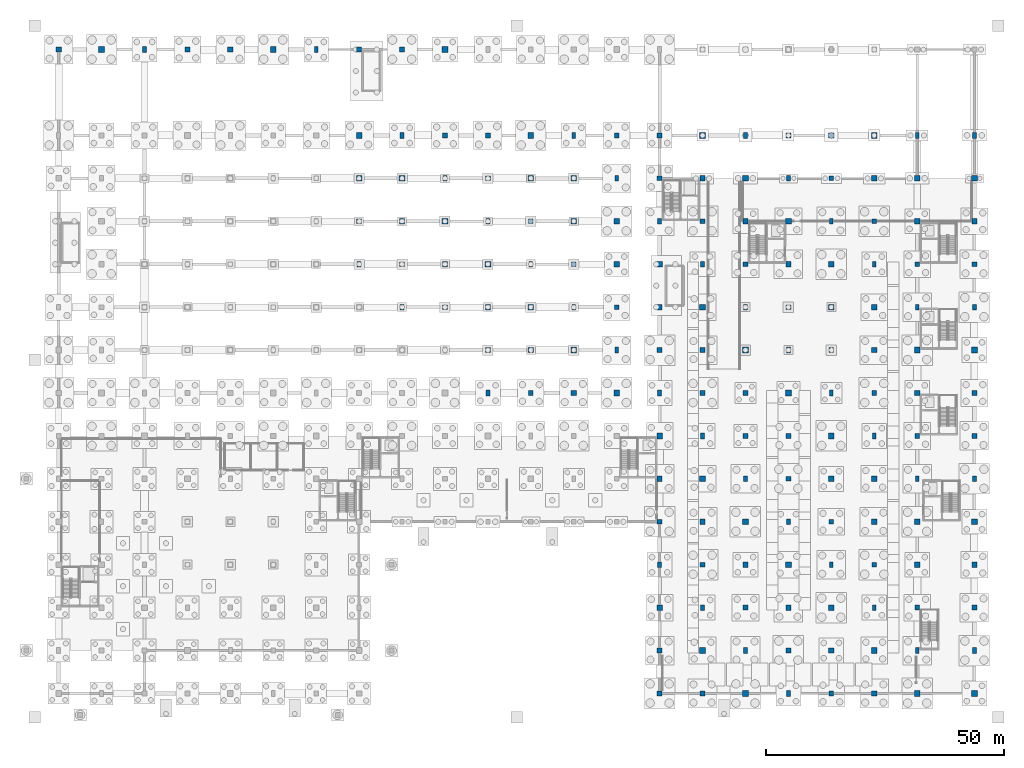
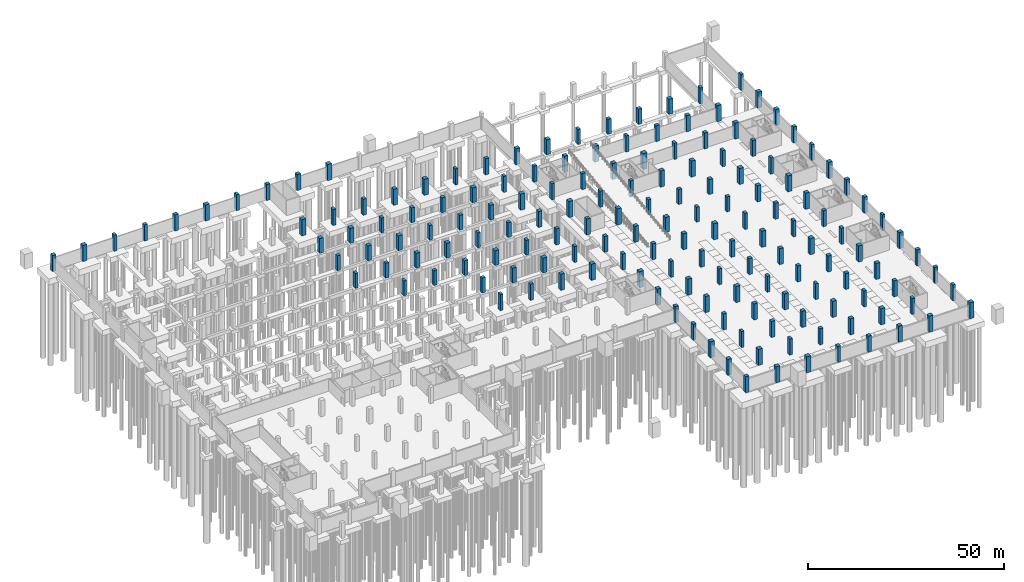
# One storey, part 13 of 37: 164 columns.
"""IFC4 building model written with IfcOpenShell, lengths in metres."""

import ifcopenshell
import ifcopenshell.guid

model = None  # the IFC model being written
_history = None  # IfcOwnerHistory: only IFC2X3 demands one
_inside = {}  # id of a spatial element -> (the spatial element, [elements in it])
_under = {}  # id of a project, library or spatial element -> (it, [spatial elements below it])
_declared = {}  # id of a project -> (the project, [libraries it declares])
_typed = {}  # id of a type object -> (the type object, [elements of that type])
_made_of = {}  # id of a material, layer set ... -> (it, [elements and type objects made of it])


def new_model(schema):
    """Start an empty IFC model of exactly this schema.

    Asked for "IFC4X3", IfcOpenShell would pick the latest addendum, in which some entities
    have other attributes; the version numbers below select the first issue.
    IFC2X3 requires an IfcOwnerHistory on every rooted entity: one is made here for all.
    """
    global model, _history
    if schema == "IFC4X3":
        model = ifcopenshell.file(schema_version=(4, 3, 0, 0))
    else:
        model = ifcopenshell.file(schema=schema)
    _inside.clear()
    _under.clear()
    _declared.clear()
    _typed.clear()
    _made_of.clear()
    _history = None
    if model.schema == "IFC2X3":
        org = make("IfcOrganization", Name="unknown")
        user = make(
            "IfcPersonAndOrganization",
            ThePerson=make("IfcPerson", FamilyName="unknown"),
            TheOrganization=org,
        )
        app = make(
            "IfcApplication",
            ApplicationDeveloper=org,
            Version="unknown",
            ApplicationFullName="unknown",
            ApplicationIdentifier="unknown",
        )
        _history = make(
            "IfcOwnerHistory",
            OwningUser=user,
            OwningApplication=app,
            ChangeAction="ADDED",
            CreationDate=0,
        )
    return model


def make(cls, **values):
    """One entity of the class cls with the attributes given. An attribute that is None is left unset."""
    return model.create_entity(
        cls, **{name: value for name, value in values.items() if value is not None}
    )


def rooted(cls, **values):
    """An entity with a GlobalId (a new one), such as an element, a storey or a relation."""
    return make(cls, GlobalId=ifcopenshell.guid.new(), OwnerHistory=_history, **values)


def si_unit(unit_type, name, prefix=None):
    """IfcSIUnit, for example si_unit("LENGTHUNIT", "METRE", prefix="MILLI")."""
    return make("IfcSIUnit", UnitType=unit_type, Prefix=prefix, Name=name)


def assignment(units):
    """IfcUnitAssignment: the units of a project."""
    return None if units is None else make("IfcUnitAssignment", Units=units)


def point(xyz):
    """IfcCartesianPoint."""
    return None if xyz is None else make("IfcCartesianPoint", Coordinates=xyz)


def direction(xyz):
    """IfcDirection."""
    return None if xyz is None else make("IfcDirection", DirectionRatios=xyz)


def frame(location, z_axis=None, x_axis=None):
    """IfcAxis2Placement3D, a coordinate frame: its origin and axes. An axis left out is left unset."""
    return make(
        "IfcAxis2Placement3D",
        Location=point(location),
        Axis=direction(z_axis),
        RefDirection=direction(x_axis),
    )


def frame_2d(location, x_axis=None):
    """IfcAxis2Placement2D, a coordinate frame in the plane: its origin and x axis."""
    return make(
        "IfcAxis2Placement2D", Location=point(location), RefDirection=direction(x_axis)
    )


def origin():
    """The frame at (0, 0, 0) with its axes left unset."""
    return frame((0.0, 0.0, 0.0))


def origin_2d():
    """The frame at (0, 0) in the plane with its x axis left unset."""
    return frame_2d((0.0, 0.0))


def place(relative_to, where):
    """IfcLocalPlacement: puts the frame where relative to a parent placement (None: the world)."""
    return make(
        "IfcLocalPlacement", PlacementRelTo=relative_to, RelativePlacement=where
    )


def context(
    kind, dimensions, precision=None, world=None, true_north=None, identifier=None
):
    """IfcGeometricRepresentationContext, for example the 3D "Model" context."""
    return make(
        "IfcGeometricRepresentationContext",
        ContextIdentifier=identifier,
        ContextType=kind,
        CoordinateSpaceDimension=dimensions,
        Precision=precision,
        WorldCoordinateSystem=world,
        TrueNorth=true_north,
    )


def subcontext(parent, identifier, kind, view, scale=None):
    """IfcGeometricRepresentationSubContext, for example "Body" below "Model"."""
    return make(
        "IfcGeometricRepresentationSubContext",
        ContextIdentifier=identifier,
        ContextType=kind,
        ParentContext=parent,
        TargetScale=scale,
        TargetView=view,
    )


def project(units=None, contexts=None):
    """IfcProject with its units and contexts."""
    return rooted(
        "IfcProject",
        Name="project",
        RepresentationContexts=contexts,
        UnitsInContext=assignment(units),
    )


def spatial(cls, under=None, at=None, **own):
    """A site, building, storey or space (cls), placed at a placement, below another one or the project."""
    s = rooted(cls, ObjectPlacement=at, **own)
    if under is not None:
        _under.setdefault(under.id(), (under, []))[1].append(s)
    return s


def profile(cls, at=None, kind="AREA", **sizes):
    """A parametric profile (cls). Its sizes go by their IFC names, for example OverallWidth=200.0."""
    return make(cls, ProfileType=kind, Position=at, **sizes)


def rectangle(**sizes):
    """IfcRectangleProfileDef."""
    return profile("IfcRectangleProfileDef", **sizes)


def extrude(swept, where, along, depth):
    """IfcExtrudedAreaSolid: the profile swept, set in the frame where, extruded along a direction by depth."""
    return make(
        "IfcExtrudedAreaSolid",
        SweptArea=swept,
        Position=where,
        ExtrudedDirection=direction(along),
        Depth=depth,
    )


def shape(context_of_items, identifier, shape_type, items):
    """IfcShapeRepresentation: the items that make up one representation, for example the "Body"."""
    return make(
        "IfcShapeRepresentation",
        ContextOfItems=context_of_items,
        RepresentationIdentifier=identifier,
        RepresentationType=shape_type,
        Items=items,
    )


def material(Name=None, Category=None):
    """IfcMaterial."""
    return make("IfcMaterial", Name=Name, Category=Category)


def material_profile(
    of_material, cross_section, Name=None, Category=None, Priority=None
):
    """IfcMaterialProfile: a cross section and its material."""
    return make(
        "IfcMaterialProfile",
        Name=Name,
        Material=of_material,
        Profile=cross_section,
        Priority=Priority,
        Category=Category,
    )


def profile_set(profiles, Name=None, composite=None):
    """IfcMaterialProfileSet."""
    return make(
        "IfcMaterialProfileSet",
        Name=Name,
        MaterialProfiles=profiles,
        CompositeProfile=composite,
    )


def made_of(thing, what):
    """Note that an element or type object is made of a material, layer set ...; save() writes the relation."""
    if what is not None:
        _made_of.setdefault(what.id(), (what, []))[1].append(thing)
    return thing


def type_object(cls, material=None, **own):
    """A type object (cls), such as IfcWallType, which elements share."""
    return made_of(rooted(cls, **own), material)


def element(
    cls,
    number,
    at=None,
    inside=None,
    cuts=None,
    type_object=None,
    material=None,
    context=None,
    identifier="Body",
    shape_type=None,
    held_by="IfcProductDefinitionShape",
    body=None,
    shapes=None,
    **own,
):
    """One element of the class cls, such as IfcWall. Its Tag is "e" and its number.

    at: its placement. inside: the storey or other place that contains it. cuts: it is an
    opening in that element (IfcRelVoidsElement). A single representation is given by context,
    identifier, shape_type and body (its items); several are given by shapes. held_by: the class
    of the entity that holds the representations. save() writes the other relations.
    """
    e = rooted(cls, Tag="e%d" % number, ObjectPlacement=at, **own)
    if body is not None:
        shapes = [shape(context, identifier, shape_type, body)]
    if shapes is not None:
        e.Representation = make(held_by, Representations=shapes)
    if inside is not None:
        _inside.setdefault(inside.id(), (inside, []))[1].append(e)
    if cuts is not None:
        rooted(
            "IfcRelVoidsElement", RelatingBuildingElement=cuts, RelatedOpeningElement=e
        )
    if type_object is not None:
        _typed.setdefault(type_object.id(), (type_object, []))[1].append(e)
    return made_of(e, material)


def aggregate(whole, parts):
    """IfcRelAggregates: a whole, such as a stair, and the parts it consists of."""
    return rooted("IfcRelAggregates", RelatingObject=whole, RelatedObjects=parts)


def save(model, path):
    """Write the relations noted so far, then the file.

    IfcRelAggregates (storeys below a building ...), IfcRelContainedInSpatialStructure (elements
    in a storey), IfcRelDefinesByType, IfcRelAssociatesMaterial and IfcRelDeclares: one each for
    every whole, place, type object, material and project.
    """
    for whole, parts in _under.values():
        aggregate(whole, parts)
    for where, things in _inside.values():
        rooted(
            "IfcRelContainedInSpatialStructure",
            RelatedElements=things,
            RelatingStructure=where,
        )
    for kind, things in _typed.values():
        rooted("IfcRelDefinesByType", RelatedObjects=things, RelatingType=kind)
    for what, things in _made_of.values():
        rooted("IfcRelAssociatesMaterial", RelatedObjects=things, RelatingMaterial=what)
    for by, libraries in _declared.values():
        rooted("IfcRelDeclares", RelatingContext=by, RelatedDefinitions=libraries)
    model.write(path)


model = new_model("IFC4")

# Units and contexts
model_context = context("Model", 3, precision=1e-05, world=origin(), true_north=direction((0.0, 1.0)))
body_context = subcontext(model_context, "Body", "Model", "MODEL_VIEW")
ifc_project = project(units=[si_unit("LENGTHUNIT", "METRE"), si_unit("AREAUNIT", "SQUARE_METRE"), si_unit("VOLUMEUNIT", "CUBIC_METRE"), si_unit("PLANEANGLEUNIT", "RADIAN"), si_unit("MASSUNIT", "GRAM", prefix="KILO")], contexts=[model_context])

# Site, building, storey
site_placement = place(None, origin())
site = spatial("IfcSite", under=ifc_project, at=site_placement, CompositionType="ELEMENT")
building_placement = place(site_placement, origin())
building = spatial("IfcBuilding", under=site, at=building_placement, Name="Barlavento Convention Centre", CompositionType="ELEMENT")
storey_placement = place(building_placement, frame((0.0, 0.0, -5.0)))
storey = spatial("IfcBuildingStorey", under=building, at=storey_placement, Name="B1", CompositionType="ELEMENT", Elevation=-5.0)

# Columns
ifc_material = material(Name="Concrete C50/60", Category="concrete")
ifc_material_profile_1 = material_profile(ifc_material, rectangle(XDim=1.0, YDim=1.0, at=origin_2d()), Name="RC 1000x1000")
ifc_profile_set_1 = profile_set([ifc_material_profile_1], Name="Concrete C50/60")
column_type_1 = type_object("IfcColumnType", Name="STR-COL-RC1000", PredefinedType="COLUMN", material=ifc_profile_set_1)
column_1_placement = place(storey_placement, frame((27.0, 135.0, 0.0), z_axis=(0.0, 0.0, 1.0), x_axis=(1.0, 0.0, 0.0)))
element("IfcColumn", 1, at=column_1_placement, inside=storey, type_object=column_type_1, Name="B1 column CC03", PredefinedType="COLUMN", context=body_context, shape_type="SweptSolid", body=[
    extrude(rectangle(XDim=1.0, YDim=1.0, at=origin_2d()), origin(), (0.0, 0.0, 1.0), 5.0),
])
column_2_placement = place(storey_placement, frame((63.0, 99.0, 0.0), z_axis=(0.0, 0.0, 1.0), x_axis=(1.0, 0.0, 0.0)))
element("IfcColumn", 2, at=column_2_placement, inside=storey, type_object=column_type_1, Name="B1 column CC03", PredefinedType="COLUMN", context=body_context, shape_type="SweptSolid", body=[
    extrude(rectangle(XDim=1.0, YDim=1.0, at=origin_2d()), origin(), (0.0, 0.0, 1.0), 4.6201171875),
])
column_3_placement = place(storey_placement, frame((63.0, 135.0, 0.0), z_axis=(0.0, 0.0, 1.0), x_axis=(1.0, 0.0, 0.0)))
element("IfcColumn", 3, at=column_3_placement, inside=storey, type_object=column_type_1, Name="B1 column CC03", PredefinedType="COLUMN", context=body_context, shape_type="SweptSolid", body=[
    extrude(rectangle(XDim=1.0, YDim=1.0, at=origin_2d()), origin(), (0.0, 0.0, 1.0), 5.0),
])
for number, where, z_axis, x_axis, name in (
    (4, (72.0, 90.0, 0.0), (0.0, 0.0, 1.0), (1.0, 0.0, 0.0), "B1 column CC03"),
    (5, (81.0, 81.0, 0.0), (0.0, 0.0, 1.0), (1.0, 0.0, 0.0), "B1 column CC03"),
):
    element("IfcColumn", number, at=place(storey_placement, frame(where, z_axis=z_axis, x_axis=x_axis)), inside=storey, type_object=column_type_1, Name=name, PredefinedType="COLUMN", context=body_context, shape_type="SweptSolid", body=[
        extrude(rectangle(XDim=1.0, YDim=1.0, at=origin_2d()), origin(), (0.0, 0.0, 1.0), 4.6201171875),
    ])
column_4_placement = place(storey_placement, frame((81.0, 117.0, 0.0), z_axis=(0.0, 0.0, 1.0), x_axis=(1.0, 0.0, 0.0)))
element("IfcColumn", 6, at=column_4_placement, inside=storey, type_object=column_type_1, Name="B1 column CC03", PredefinedType="COLUMN", context=body_context, shape_type="SweptSolid", body=[
    extrude(rectangle(XDim=1.0, YDim=1.0, at=origin_2d()), origin(), (0.0, 0.0, 1.0), 5.0),
])
for number, where, z_axis, x_axis, name in (
    (7, (90.0, 72.0, 0.0), (0.0, 0.0, 1.0), (1.0, 0.0, 0.0), "B1 column CC03"),
    (8, (90.0, 108.0, 0.0), (0.0, 0.0, 1.0), (1.0, 0.0, 0.0), "B1 column CC03"),
):
    element("IfcColumn", number, at=place(storey_placement, frame(where, z_axis=z_axis, x_axis=x_axis)), inside=storey, type_object=column_type_1, Name=name, PredefinedType="COLUMN", context=body_context, shape_type="SweptSolid", body=[
        extrude(rectangle(XDim=1.0, YDim=1.0, at=origin_2d()), origin(), (0.0, 0.0, 1.0), 4.6201171875),
    ])
column_5_placement = place(storey_placement, frame((99.0, 63.0, 0.0), z_axis=(0.0, 0.0, 1.0), x_axis=(1.0, 0.0, 0.0)))
element("IfcColumn", 9, at=column_5_placement, inside=storey, type_object=column_type_1, Name="B1 column CC03", PredefinedType="COLUMN", context=body_context, shape_type="SweptSolid", body=[
    extrude(rectangle(XDim=1.0, YDim=1.0, at=origin_2d()), origin(), (0.0, 0.0, 1.0), 5.0),
])
for number, where, z_axis, x_axis, name in (
    (10, (99.0, 99.0, 0.0), (0.0, 0.0, 1.0), (1.0, 0.0, 0.0), "B1 column CC03"),
    (11, (108.0, 90.0, 0.0), (0.0, 0.0, 1.0), (1.0, 0.0, 0.0), "B1 column CC03"),
):
    element("IfcColumn", number, at=place(storey_placement, frame(where, z_axis=z_axis, x_axis=x_axis)), inside=storey, type_object=column_type_1, Name=name, PredefinedType="COLUMN", context=body_context, shape_type="SweptSolid", body=[
        extrude(rectangle(XDim=1.0, YDim=1.0, at=origin_2d()), origin(), (0.0, 0.0, 1.0), 4.6201171875),
    ])
for number, where, z_axis, x_axis, name in (
    (12, (117.0, 81.0, 0.0), (0.0, 0.0, 1.0), (1.0, 0.0, 0.0), "B1 column CC03"),
    (13, (117.0, 117.0, 0.0), (0.0, 0.0, 1.0), (1.0, 0.0, 0.0), "B1 column CC03"),
    (14, (126.0, 0.0, 0.0), (0.0, 0.0, 1.0), (1.0, 0.0, 0.0), "B1 column CC03"),
    (15, (126.0, 36.0, 0.0), (0.0, 0.0, 1.0), (1.0, 0.0, 0.0), "B1 column CC03"),
    (16, (126.0, 72.0, 0.0), (0.0, 0.0, 1.0), (1.0, 0.0, 0.0), "B1 column CC03"),
    (17, (126.0, 108.0, 0.0), (0.0, 0.0, 1.0), (1.0, 0.0, 0.0), "B1 column CC03"),
    (18, (135.0, 27.0, 0.0), (0.0, 0.0, 1.0), (1.0, 0.0, 0.0), "B1 column CC03"),
    (19, (135.0, 63.0, 0.0), (0.0, 0.0, 1.0), (1.0, 0.0, 0.0), "B1 column CC03"),
    (20, (135.0, 99.0, 0.0), (0.0, 0.0, 1.0), (1.0, 0.0, 0.0), "B1 column CC03"),
    (21, (144.0, 18.0, 0.0), (0.0, 0.0, 1.0), (1.0, 0.0, 0.0), "B1 column CC03"),
    (22, (144.0, 54.0, 0.0), (0.0, 0.0, 1.0), (1.0, 0.0, 0.0), "B1 column CC03"),
    (23, (144.0, 90.0, 0.0), (0.0, 0.0, 1.0), (1.0, 0.0, 0.0), "B1 column CC03"),
    (24, (153.0, 9.0, 0.0), (0.0, 0.0, 1.0), (1.0, 0.0, 0.0), "B1 column CC03"),
    (25, (153.0, 45.0, 0.0), (0.0, 0.0, 1.0), (1.0, 0.0, 0.0), "B1 column CC03"),
):
    element("IfcColumn", number, at=place(storey_placement, frame(where, z_axis=z_axis, x_axis=x_axis)), inside=storey, type_object=column_type_1, Name=name, PredefinedType="COLUMN", context=body_context, shape_type="SweptSolid", body=[
        extrude(rectangle(XDim=1.0, YDim=1.0, at=origin_2d()), origin(), (0.0, 0.0, 1.0), 5.0),
    ])
column_6_placement = place(storey_placement, frame((153.0, 81.0, 0.0), z_axis=(0.0, 0.0, 1.0), x_axis=(1.0, 0.0, 0.0)))
element("IfcColumn", 26, at=column_6_placement, inside=storey, type_object=column_type_1, Name="B1 column CC03", PredefinedType="COLUMN", context=body_context, shape_type="SweptSolid", body=[
    extrude(rectangle(XDim=1.0, YDim=1.0, at=origin_2d()), origin(), (0.0, 0.0, 1.0), 4.639892578125),
])
column_7_placement = place(storey_placement, frame((153.0, 117.0, 0.0), z_axis=(0.0, 0.0, 1.0), x_axis=(1.0, 0.0, 0.0)))
element("IfcColumn", 27, at=column_7_placement, inside=storey, type_object=column_type_1, Name="B1 column CC03", PredefinedType="COLUMN", context=body_context, shape_type="SweptSolid", body=[
    extrude(rectangle(XDim=1.0, YDim=1.0, at=origin_2d()), origin(), (0.0, 0.0, 1.0), 4.68994140625),
])
for number, where, z_axis, x_axis, name in (
    (28, (162.0, 0.0, 0.0), (0.0, 0.0, 1.0), (1.0, 0.0, 0.0), "B1 column CC03"),
    (29, (162.0, 36.0, 0.0), (0.0, 0.0, 1.0), (1.0, 0.0, 0.0), "B1 column CC03"),
):
    element("IfcColumn", number, at=place(storey_placement, frame(where, z_axis=z_axis, x_axis=x_axis)), inside=storey, type_object=column_type_1, Name=name, PredefinedType="COLUMN", context=body_context, shape_type="SweptSolid", body=[
        extrude(rectangle(XDim=1.0, YDim=1.0, at=origin_2d()), origin(), (0.0, 0.0, 1.0), 5.0),
    ])
column_8_placement = place(storey_placement, frame((162.0, 72.0, 0.0), z_axis=(0.0, 0.0, 1.0), x_axis=(1.0, 0.0, 0.0)))
element("IfcColumn", 30, at=column_8_placement, inside=storey, type_object=column_type_1, Name="B1 column CC03", PredefinedType="COLUMN", context=body_context, shape_type="SweptSolid", body=[
    extrude(rectangle(XDim=1.0, YDim=1.0, at=origin_2d()), origin(), (0.0, 0.0, 1.0), 4.639892578125),
])
for number, where, z_axis, x_axis, name in (
    (31, (162.0, 108.0, 0.0), (0.0, 0.0, 1.0), (1.0, 0.0, 0.0), "B1 column CC03"),
    (32, (171.0, 27.0, 0.0), (0.0, 0.0, 1.0), (1.0, 0.0, 0.0), "B1 column CC03"),
    (33, (171.0, 63.0, 0.0), (0.0, 0.0, 1.0), (1.0, 0.0, 0.0), "B1 column CC03"),
    (34, (171.0, 99.0, 0.0), (0.0, 0.0, 1.0), (1.0, 0.0, 0.0), "B1 column CC03"),
    (35, (180.0, 18.0, 0.0), (0.0, 0.0, 1.0), (1.0, 0.0, 0.0), "B1 column CC03"),
    (36, (180.0, 54.0, 0.0), (0.0, 0.0, 1.0), (1.0, 0.0, 0.0), "B1 column CC03"),
    (37, (180.0, 90.0, 0.0), (0.0, 0.0, 1.0), (1.0, 0.0, 0.0), "B1 column CC03"),
    (38, (192.0, 18.0, 0.0), (0.0, 0.0, 1.0), (1.0, 0.0, 0.0), "B1 column CC03"),
    (39, (192.0, 54.0, 0.0), (0.0, 0.0, 1.0), (1.0, 0.0, 0.0), "B1 column CC03"),
    (40, (192.0, 90.0, 0.0), (0.0, 0.0, 1.0), (1.0, 0.0, 0.0), "B1 column CC03"),
):
    element("IfcColumn", number, at=place(storey_placement, frame(where, z_axis=z_axis, x_axis=x_axis)), inside=storey, type_object=column_type_1, Name=name, PredefinedType="COLUMN", context=body_context, shape_type="SweptSolid", body=[
        extrude(rectangle(XDim=1.0, YDim=1.0, at=origin_2d()), origin(), (0.0, 0.0, 1.0), 5.0),
    ])
ifc_material_profile_2 = material_profile(ifc_material, rectangle(XDim=1.10009765625, YDim=1.10009765625, at=origin_2d()), Name="RC 1100x1100")
ifc_profile_set_2 = profile_set([ifc_material_profile_2], Name="Concrete C50/60")
column_type_2 = type_object("IfcColumnType", Name="STR-COL-RC1100", PredefinedType="COLUMN", material=ifc_profile_set_2)
for number, where, z_axis, x_axis, name in (
    (41, (0.0, 135.0, 0.0), (0.0, 0.0, 1.0), (1.0, 0.0, 0.0), "B1 column CC02"),
    (42, (36.0, 135.0, 0.0), (0.0, 0.0, 1.0), (1.0, 0.0, 0.0), "B1 column CC02"),
):
    element("IfcColumn", number, at=place(storey_placement, frame(where, z_axis=z_axis, x_axis=x_axis)), inside=storey, type_object=column_type_2, Name=name, PredefinedType="COLUMN", context=body_context, shape_type="SweptSolid", body=[
        extrude(rectangle(XDim=1.10009765625, YDim=1.10009765625, at=origin_2d()), origin(), (0.0, 0.0, 1.0), 5.0),
    ])
for number, where, z_axis, x_axis, name in (
    (43, (63.0, 108.0, 0.0), (0.0, 0.0, 1.0), (1.0, 0.0, 0.0), "B1 column CC02"),
    (44, (72.0, 99.0, 0.0), (0.0, 0.0, 1.0), (1.0, 0.0, 0.0), "B1 column CC02"),
):
    element("IfcColumn", number, at=place(storey_placement, frame(where, z_axis=z_axis, x_axis=x_axis)), inside=storey, type_object=column_type_2, Name=name, PredefinedType="COLUMN", context=body_context, shape_type="SweptSolid", body=[
        extrude(rectangle(XDim=1.10009765625, YDim=1.10009765625, at=origin_2d()), origin(), (0.0, 0.0, 1.0), 4.6201171875),
    ])
column_9_placement = place(storey_placement, frame((72.0, 135.0, 0.0), z_axis=(0.0, 0.0, 1.0), x_axis=(1.0, 0.0, 0.0)))
element("IfcColumn", 45, at=column_9_placement, inside=storey, type_object=column_type_2, Name="B1 column CC02", PredefinedType="COLUMN", context=body_context, shape_type="SweptSolid", body=[
    extrude(rectangle(XDim=1.10009765625, YDim=1.10009765625, at=origin_2d()), origin(), (0.0, 0.0, 1.0), 5.0),
])
for number, where, z_axis, x_axis, name in (
    (46, (81.0, 90.0, 0.0), (0.0, 0.0, 1.0), (1.0, 0.0, 0.0), "B1 column CC02"),
    (47, (90.0, 81.0, 0.0), (0.0, 0.0, 1.0), (1.0, 0.0, 0.0), "B1 column CC02"),
):
    element("IfcColumn", number, at=place(storey_placement, frame(where, z_axis=z_axis, x_axis=x_axis)), inside=storey, type_object=column_type_2, Name=name, PredefinedType="COLUMN", context=body_context, shape_type="SweptSolid", body=[
        extrude(rectangle(XDim=1.10009765625, YDim=1.10009765625, at=origin_2d()), origin(), (0.0, 0.0, 1.0), 4.6201171875),
    ])
column_10_placement = place(storey_placement, frame((90.0, 117.0, 0.0), z_axis=(0.0, 0.0, 1.0), x_axis=(1.0, 0.0, 0.0)))
element("IfcColumn", 48, at=column_10_placement, inside=storey, type_object=column_type_2, Name="B1 column CC02", PredefinedType="COLUMN", context=body_context, shape_type="SweptSolid", body=[
    extrude(rectangle(XDim=1.10009765625, YDim=1.10009765625, at=origin_2d()), origin(), (0.0, 0.0, 1.0), 5.0),
])
for number, where, z_axis, x_axis, name in (
    (49, (99.0, 72.0, 0.0), (0.0, 0.0, 1.0), (1.0, 0.0, 0.0), "B1 column CC02"),
    (50, (99.0, 108.0, 0.0), (0.0, 0.0, 1.0), (1.0, 0.0, 0.0), "B1 column CC02"),
):
    element("IfcColumn", number, at=place(storey_placement, frame(where, z_axis=z_axis, x_axis=x_axis)), inside=storey, type_object=column_type_2, Name=name, PredefinedType="COLUMN", context=body_context, shape_type="SweptSolid", body=[
        extrude(rectangle(XDim=1.10009765625, YDim=1.10009765625, at=origin_2d()), origin(), (0.0, 0.0, 1.0), 4.6201171875),
    ])
column_11_placement = place(storey_placement, frame((108.0, 63.0, 0.0), z_axis=(0.0, 0.0, 1.0), x_axis=(1.0, 0.0, 0.0)))
element("IfcColumn", 51, at=column_11_placement, inside=storey, type_object=column_type_2, Name="B1 column CC02", PredefinedType="COLUMN", context=body_context, shape_type="SweptSolid", body=[
    extrude(rectangle(XDim=1.10009765625, YDim=1.10009765625, at=origin_2d()), origin(), (0.0, 0.0, 1.0), 5.0),
])
column_12_placement = place(storey_placement, frame((108.0, 99.0, 0.0), z_axis=(0.0, 0.0, 1.0), x_axis=(1.0, 0.0, 0.0)))
element("IfcColumn", 52, at=column_12_placement, inside=storey, type_object=column_type_2, Name="B1 column CC02", PredefinedType="COLUMN", context=body_context, shape_type="SweptSolid", body=[
    extrude(rectangle(XDim=1.10009765625, YDim=1.10009765625, at=origin_2d()), origin(), (0.0, 0.0, 1.0), 4.6201171875),
])
for number, where, z_axis, x_axis, name in (
    (53, (117.0, 90.0, 0.0), (0.0, 0.0, 1.0), (1.0, 0.0, 0.0), "B1 column CC02"),
    (54, (126.0, 9.0, 0.0), (0.0, 0.0, 1.0), (1.0, 0.0, 0.0), "B1 column CC02"),
    (55, (126.0, 45.0, 0.0), (0.0, 0.0, 1.0), (1.0, 0.0, 0.0), "B1 column CC02"),
    (56, (126.0, 81.0, 0.0), (0.0, 0.0, 1.0), (1.0, 0.0, 0.0), "B1 column CC02"),
    (57, (126.0, 117.0, 0.0), (0.0, 0.0, 1.0), (1.0, 0.0, 0.0), "B1 column CC02"),
    (58, (135.0, 0.0, 0.0), (0.0, 0.0, 1.0), (1.0, 0.0, 0.0), "B1 column CC02"),
    (59, (135.0, 36.0, 0.0), (0.0, 0.0, 1.0), (1.0, 0.0, 0.0), "B1 column CC02"),
    (60, (135.0, 72.0, 0.0), (0.0, 0.0, 1.0), (1.0, 0.0, 0.0), "B1 column CC02"),
    (61, (135.0, 108.0, 0.0), (0.0, 0.0, 1.0), (1.0, 0.0, 0.0), "B1 column CC02"),
    (62, (144.0, 27.0, 0.0), (0.0, 0.0, 1.0), (1.0, 0.0, 0.0), "B1 column CC02"),
    (63, (144.0, 63.0, 0.0), (0.0, 0.0, 1.0), (1.0, 0.0, 0.0), "B1 column CC02"),
    (64, (144.0, 99.0, 0.0), (0.0, 0.0, 1.0), (1.0, 0.0, 0.0), "B1 column CC02"),
    (65, (153.0, 18.0, 0.0), (0.0, 0.0, 1.0), (1.0, 0.0, 0.0), "B1 column CC02"),
    (66, (153.0, 54.0, 0.0), (0.0, 0.0, 1.0), (1.0, 0.0, 0.0), "B1 column CC02"),
    (67, (153.0, 90.0, 0.0), (0.0, 0.0, 1.0), (1.0, 0.0, 0.0), "B1 column CC02"),
    (68, (162.0, 9.0, 0.0), (0.0, 0.0, 1.0), (1.0, 0.0, 0.0), "B1 column CC02"),
    (69, (162.0, 45.0, 0.0), (0.0, 0.0, 1.0), (1.0, 0.0, 0.0), "B1 column CC02"),
):
    element("IfcColumn", number, at=place(storey_placement, frame(where, z_axis=z_axis, x_axis=x_axis)), inside=storey, type_object=column_type_2, Name=name, PredefinedType="COLUMN", context=body_context, shape_type="SweptSolid", body=[
        extrude(rectangle(XDim=1.10009765625, YDim=1.10009765625, at=origin_2d()), origin(), (0.0, 0.0, 1.0), 5.0),
    ])
column_13_placement = place(storey_placement, frame((162.0, 81.0, 0.0), z_axis=(0.0, 0.0, 1.0), x_axis=(1.0, 0.0, 0.0)))
element("IfcColumn", 70, at=column_13_placement, inside=storey, type_object=column_type_2, Name="B1 column CC02", PredefinedType="COLUMN", context=body_context, shape_type="SweptSolid", body=[
    extrude(rectangle(XDim=1.10009765625, YDim=1.10009765625, at=origin_2d()), origin(), (0.0, 0.0, 1.0), 4.639892578125),
])
column_14_placement = place(storey_placement, frame((162.0, 117.0, 0.0), z_axis=(0.0, 0.0, 1.0), x_axis=(1.0, 0.0, 0.0)))
element("IfcColumn", 71, at=column_14_placement, inside=storey, type_object=column_type_2, Name="B1 column CC02", PredefinedType="COLUMN", context=body_context, shape_type="SweptSolid", body=[
    extrude(rectangle(XDim=1.10009765625, YDim=1.10009765625, at=origin_2d()), origin(), (0.0, 0.0, 1.0), 4.68994140625),
])
for number, where, z_axis, x_axis, name in (
    (72, (171.0, 0.0, 0.0), (0.0, 0.0, 1.0), (1.0, 0.0, 0.0), "B1 column CC02"),
    (73, (171.0, 36.0, 0.0), (0.0, 0.0, 1.0), (1.0, 0.0, 0.0), "B1 column CC02"),
    (74, (171.0, 72.0, 0.0), (0.0, 0.0, 1.0), (1.0, 0.0, 0.0), "B1 column CC02"),
    (75, (171.0, 108.0, 0.0), (0.0, 0.0, 1.0), (1.0, 0.0, 0.0), "B1 column CC02"),
    (76, (180.0, 27.0, 0.0), (0.0, 0.0, 1.0), (1.0, 0.0, 0.0), "B1 column CC02"),
    (77, (180.0, 63.0, 0.0), (0.0, 0.0, 1.0), (1.0, 0.0, 0.0), "B1 column CC02"),
    (78, (180.0, 99.0, 0.0), (0.0, 0.0, 1.0), (1.0, 0.0, 0.0), "B1 column CC02"),
    (79, (192.0, 27.0, 0.0), (0.0, 0.0, 1.0), (1.0, 0.0, 0.0), "B1 column CC02"),
    (80, (192.0, 63.0, 0.0), (0.0, 0.0, 1.0), (1.0, 0.0, 0.0), "B1 column CC02"),
    (81, (192.0, 99.0, 0.0), (0.0, 0.0, 1.0), (1.0, 0.0, 0.0), "B1 column CC02"),
):
    element("IfcColumn", number, at=place(storey_placement, frame(where, z_axis=z_axis, x_axis=x_axis)), inside=storey, type_object=column_type_2, Name=name, PredefinedType="COLUMN", context=body_context, shape_type="SweptSolid", body=[
        extrude(rectangle(XDim=1.10009765625, YDim=1.10009765625, at=origin_2d()), origin(), (0.0, 0.0, 1.0), 5.0),
    ])
ifc_material_profile_3 = material_profile(ifc_material, rectangle(XDim=1.199951171875, YDim=1.199951171875, at=origin_2d()), Name="RC 1200x1200")
ifc_profile_set_3 = profile_set([ifc_material_profile_3], Name="Concrete C50/60")
column_type_3 = type_object("IfcColumnType", Name="STR-COL-RC1200", PredefinedType="COLUMN", material=ifc_profile_set_3)
for number, where, z_axis, x_axis, name in (
    (82, (9.0, 135.0, 0.0), (0.0, 0.0, 1.0), (1.0, 0.0, 0.0), "B1 column CC01"),
    (83, (45.0, 135.0, 0.0), (0.0, 0.0, 1.0), (1.0, 0.0, 0.0), "B1 column CC01"),
    (84, (63.0, 117.0, 0.0), (0.0, 0.0, 1.0), (1.0, 0.0, 0.0), "B1 column CC01"),
):
    element("IfcColumn", number, at=place(storey_placement, frame(where, z_axis=z_axis, x_axis=x_axis)), inside=storey, type_object=column_type_3, Name=name, PredefinedType="COLUMN", context=body_context, shape_type="SweptSolid", body=[
        extrude(rectangle(XDim=1.199951171875, YDim=1.199951171875, at=origin_2d()), origin(), (0.0, 0.0, 1.0), 5.0),
    ])
for number, where, z_axis, x_axis, name in (
    (85, (72.0, 108.0, 0.0), (0.0, 0.0, 1.0), (1.0, 0.0, 0.0), "B1 column CC01"),
    (86, (81.0, 99.0, 0.0), (0.0, 0.0, 1.0), (1.0, 0.0, 0.0), "B1 column CC01"),
):
    element("IfcColumn", number, at=place(storey_placement, frame(where, z_axis=z_axis, x_axis=x_axis)), inside=storey, type_object=column_type_3, Name=name, PredefinedType="COLUMN", context=body_context, shape_type="SweptSolid", body=[
        extrude(rectangle(XDim=1.199951171875, YDim=1.199951171875, at=origin_2d()), origin(), (0.0, 0.0, 1.0), 4.6201171875),
    ])
column_15_placement = place(storey_placement, frame((81.0, 135.0, 0.0), z_axis=(0.0, 0.0, 1.0), x_axis=(1.0, 0.0, 0.0)))
element("IfcColumn", 87, at=column_15_placement, inside=storey, type_object=column_type_3, Name="B1 column CC01", PredefinedType="COLUMN", context=body_context, shape_type="SweptSolid", body=[
    extrude(rectangle(XDim=1.199951171875, YDim=1.199951171875, at=origin_2d()), origin(), (0.0, 0.0, 1.0), 5.0),
])
for number, where, z_axis, x_axis, name in (
    (88, (90.0, 90.0, 0.0), (0.0, 0.0, 1.0), (1.0, 0.0, 0.0), "B1 column CC01"),
    (89, (99.0, 81.0, 0.0), (0.0, 0.0, 1.0), (1.0, 0.0, 0.0), "B1 column CC01"),
):
    element("IfcColumn", number, at=place(storey_placement, frame(where, z_axis=z_axis, x_axis=x_axis)), inside=storey, type_object=column_type_3, Name=name, PredefinedType="COLUMN", context=body_context, shape_type="SweptSolid", body=[
        extrude(rectangle(XDim=1.199951171875, YDim=1.199951171875, at=origin_2d()), origin(), (0.0, 0.0, 1.0), 4.6201171875),
    ])
column_16_placement = place(storey_placement, frame((99.0, 117.0, 0.0), z_axis=(0.0, 0.0, 1.0), x_axis=(1.0, 0.0, 0.0)))
element("IfcColumn", 90, at=column_16_placement, inside=storey, type_object=column_type_3, Name="B1 column CC01", PredefinedType="COLUMN", context=body_context, shape_type="SweptSolid", body=[
    extrude(rectangle(XDim=1.199951171875, YDim=1.199951171875, at=origin_2d()), origin(), (0.0, 0.0, 1.0), 5.0),
])
for number, where, z_axis, x_axis, name in (
    (91, (108.0, 72.0, 0.0), (0.0, 0.0, 1.0), (1.0, 0.0, 0.0), "B1 column CC01"),
    (92, (108.0, 108.0, 0.0), (0.0, 0.0, 1.0), (1.0, 0.0, 0.0), "B1 column CC01"),
):
    element("IfcColumn", number, at=place(storey_placement, frame(where, z_axis=z_axis, x_axis=x_axis)), inside=storey, type_object=column_type_3, Name=name, PredefinedType="COLUMN", context=body_context, shape_type="SweptSolid", body=[
        extrude(rectangle(XDim=1.199951171875, YDim=1.199951171875, at=origin_2d()), origin(), (0.0, 0.0, 1.0), 4.6201171875),
    ])
for number, where, z_axis, x_axis, name in (
    (93, (117.0, 63.0, 0.0), (0.0, 0.0, 1.0), (1.0, 0.0, 0.0), "B1 column CC01"),
    (94, (117.0, 99.0, 0.0), (0.0, 0.0, 1.0), (1.0, 0.0, 0.0), "B1 column CC01"),
    (95, (126.0, 18.0, 0.0), (0.0, 0.0, 1.0), (1.0, 0.0, 0.0), "B1 column CC01"),
    (96, (126.0, 54.0, 0.0), (0.0, 0.0, 1.0), (1.0, 0.0, 0.0), "B1 column CC01"),
    (97, (126.0, 90.0, 0.0), (0.0, 0.0, 1.0), (1.0, 0.0, 0.0), "B1 column CC01"),
    (98, (135.0, 9.0, 0.0), (0.0, 0.0, 1.0), (1.0, 0.0, 0.0), "B1 column CC01"),
    (99, (135.0, 45.0, 0.0), (0.0, 0.0, 1.0), (1.0, 0.0, 0.0), "B1 column CC01"),
    (100, (135.0, 81.0, 0.0), (0.0, 0.0, 1.0), (1.0, 0.0, 0.0), "B1 column CC01"),
):
    element("IfcColumn", number, at=place(storey_placement, frame(where, z_axis=z_axis, x_axis=x_axis)), inside=storey, type_object=column_type_3, Name=name, PredefinedType="COLUMN", context=body_context, shape_type="SweptSolid", body=[
        extrude(rectangle(XDim=1.199951171875, YDim=1.199951171875, at=origin_2d()), origin(), (0.0, 0.0, 1.0), 5.0),
    ])
column_17_placement = place(storey_placement, frame((135.0, 117.0, 0.0), z_axis=(0.0, 0.0, 1.0), x_axis=(1.0, 0.0, 0.0)))
element("IfcColumn", 101, at=column_17_placement, inside=storey, type_object=column_type_3, Name="B1 column CC01", PredefinedType="COLUMN", context=body_context, shape_type="SweptSolid", body=[
    extrude(rectangle(XDim=1.199951171875, YDim=1.199951171875, at=origin_2d()), origin(), (0.0, 0.0, 1.0), 4.68994140625),
])
for number, where, z_axis, x_axis, name in (
    (102, (144.0, 0.0, 0.0), (0.0, 0.0, 1.0), (1.0, 0.0, 0.0), "B1 column CC01"),
    (103, (144.0, 36.0, 0.0), (0.0, 0.0, 1.0), (1.0, 0.0, 0.0), "B1 column CC01"),
):
    element("IfcColumn", number, at=place(storey_placement, frame(where, z_axis=z_axis, x_axis=x_axis)), inside=storey, type_object=column_type_3, Name=name, PredefinedType="COLUMN", context=body_context, shape_type="SweptSolid", body=[
        extrude(rectangle(XDim=1.199951171875, YDim=1.199951171875, at=origin_2d()), origin(), (0.0, 0.0, 1.0), 5.0),
    ])
column_18_placement = place(storey_placement, frame((144.0, 72.0, 0.0), z_axis=(0.0, 0.0, 1.0), x_axis=(1.0, 0.0, 0.0)))
element("IfcColumn", 104, at=column_18_placement, inside=storey, type_object=column_type_3, Name="B1 column CC01", PredefinedType="COLUMN", context=body_context, shape_type="SweptSolid", body=[
    extrude(rectangle(XDim=1.199951171875, YDim=1.199951171875, at=origin_2d()), origin(), (0.0, 0.0, 1.0), 4.639892578125),
])
for number, where, z_axis, x_axis, name in (
    (105, (144.0, 108.0, 0.0), (0.0, 0.0, 1.0), (1.0, 0.0, 0.0), "B1 column CC01"),
    (106, (153.0, 27.0, 0.0), (0.0, 0.0, 1.0), (1.0, 0.0, 0.0), "B1 column CC01"),
    (107, (153.0, 63.0, 0.0), (0.0, 0.0, 1.0), (1.0, 0.0, 0.0), "B1 column CC01"),
    (108, (153.0, 99.0, 0.0), (0.0, 0.0, 1.0), (1.0, 0.0, 0.0), "B1 column CC01"),
    (109, (162.0, 18.0, 0.0), (0.0, 0.0, 1.0), (1.0, 0.0, 0.0), "B1 column CC01"),
    (110, (162.0, 54.0, 0.0), (0.0, 0.0, 1.0), (1.0, 0.0, 0.0), "B1 column CC01"),
    (111, (162.0, 90.0, 0.0), (0.0, 0.0, 1.0), (1.0, 0.0, 0.0), "B1 column CC01"),
    (112, (171.0, 9.0, 0.0), (0.0, 0.0, 1.0), (1.0, 0.0, 0.0), "B1 column CC01"),
    (113, (171.0, 45.0, 0.0), (0.0, 0.0, 1.0), (1.0, 0.0, 0.0), "B1 column CC01"),
    (114, (171.0, 81.0, 0.0), (0.0, 0.0, 1.0), (1.0, 0.0, 0.0), "B1 column CC01"),
):
    element("IfcColumn", number, at=place(storey_placement, frame(where, z_axis=z_axis, x_axis=x_axis)), inside=storey, type_object=column_type_3, Name=name, PredefinedType="COLUMN", context=body_context, shape_type="SweptSolid", body=[
        extrude(rectangle(XDim=1.199951171875, YDim=1.199951171875, at=origin_2d()), origin(), (0.0, 0.0, 1.0), 5.0),
    ])
column_19_placement = place(storey_placement, frame((171.0, 117.0, 0.0), z_axis=(0.0, 0.0, 1.0), x_axis=(1.0, 0.0, 0.0)))
element("IfcColumn", 115, at=column_19_placement, inside=storey, type_object=column_type_3, Name="B1 column CC01", PredefinedType="COLUMN", context=body_context, shape_type="SweptSolid", body=[
    extrude(rectangle(XDim=1.199951171875, YDim=1.199951171875, at=origin_2d()), origin(), (0.0, 0.0, 1.0), 4.68994140625),
])
for number, where, z_axis, x_axis, name in (
    (116, (180.0, 0.0, 0.0), (0.0, 0.0, 1.0), (1.0, 0.0, 0.0), "B1 column CC01"),
    (117, (180.0, 36.0, 0.0), (0.0, 0.0, 1.0), (1.0, 0.0, 0.0), "B1 column CC01"),
    (118, (180.0, 72.0, 0.0), (0.0, 0.0, 1.0), (1.0, 0.0, 0.0), "B1 column CC01"),
    (119, (180.0, 108.0, 0.0), (0.0, 0.0, 1.0), (1.0, 0.0, 0.0), "B1 column CC01"),
    (120, (192.0, 0.0, 0.0), (0.0, 0.0, 1.0), (1.0, 0.0, 0.0), "B1 column CC01"),
    (121, (192.0, 36.0, 0.0), (0.0, 0.0, 1.0), (1.0, 0.0, 0.0), "B1 column CC01"),
    (122, (192.0, 72.0, 0.0), (0.0, 0.0, 1.0), (1.0, 0.0, 0.0), "B1 column CC01"),
    (123, (192.0, 108.0, 0.0), (0.0, 0.0, 1.0), (1.0, 0.0, 0.0), "B1 column CC01"),
):
    element("IfcColumn", number, at=place(storey_placement, frame(where, z_axis=z_axis, x_axis=x_axis)), inside=storey, type_object=column_type_3, Name=name, PredefinedType="COLUMN", context=body_context, shape_type="SweptSolid", body=[
        extrude(rectangle(XDim=1.199951171875, YDim=1.199951171875, at=origin_2d()), origin(), (0.0, 0.0, 1.0), 5.0),
    ])
ifc_material_profile_4 = material_profile(ifc_material, rectangle(XDim=0.800048828125, YDim=1.199951171875, at=origin_2d()), Name="RC 800x1200")
ifc_profile_set_4 = profile_set([ifc_material_profile_4], Name="Concrete C50/60")
column_type_4 = type_object("IfcColumnType", Name="STR-COL-RC800X1200", PredefinedType="COLUMN", material=ifc_profile_set_4)
for number, where, z_axis, x_axis, name in (
    (124, (18.0, 135.0, 0.0), (0.0, 0.0, 1.0), (1.0, 0.0, 0.0), "B1 column CC08"),
    (125, (54.0, 135.0, 0.0), (0.0, 0.0, 1.0), (1.0, 0.0, 0.0), "B1 column CC08"),
):
    element("IfcColumn", number, at=place(storey_placement, frame(where, z_axis=z_axis, x_axis=x_axis)), inside=storey, type_object=column_type_4, Name=name, PredefinedType="COLUMN", context=body_context, shape_type="SweptSolid", body=[
        extrude(rectangle(XDim=0.800048828125, YDim=1.199951171875, at=origin_2d()), origin(), (0.0, 0.0, 1.0), 5.0),
    ])
for number, where, z_axis, x_axis, name in (
    (126, (63.0, 90.0, 0.0), (0.0, 0.0, 1.0), (1.0, 0.0, 0.0), "B1 column CC08"),
    (127, (72.0, 81.0, 0.0), (0.0, 0.0, 1.0), (1.0, 0.0, 0.0), "B1 column CC08"),
):
    element("IfcColumn", number, at=place(storey_placement, frame(where, z_axis=z_axis, x_axis=x_axis)), inside=storey, type_object=column_type_4, Name=name, PredefinedType="COLUMN", context=body_context, shape_type="SweptSolid", body=[
        extrude(rectangle(XDim=0.800048828125, YDim=1.199951171875, at=origin_2d()), origin(), (0.0, 0.0, 1.0), 4.6201171875),
    ])
column_20_placement = place(storey_placement, frame((72.0, 117.0, 0.0), z_axis=(0.0, 0.0, 1.0), x_axis=(1.0, 0.0, 0.0)))
element("IfcColumn", 128, at=column_20_placement, inside=storey, type_object=column_type_4, Name="B1 column CC08", PredefinedType="COLUMN", context=body_context, shape_type="SweptSolid", body=[
    extrude(rectangle(XDim=0.800048828125, YDim=1.199951171875, at=origin_2d()), origin(), (0.0, 0.0, 1.0), 5.0),
])
column_21_placement = place(storey_placement, frame((81.0, 108.0, 0.0), z_axis=(0.0, 0.0, 1.0), x_axis=(1.0, 0.0, 0.0)))
element("IfcColumn", 129, at=column_21_placement, inside=storey, type_object=column_type_4, Name="B1 column CC08", PredefinedType="COLUMN", context=body_context, shape_type="SweptSolid", body=[
    extrude(rectangle(XDim=0.800048828125, YDim=1.199951171875, at=origin_2d()), origin(), (0.0, 0.0, 1.0), 4.6201171875),
])
column_22_placement = place(storey_placement, frame((90.0, 63.0, 0.0), z_axis=(0.0, 0.0, 1.0), x_axis=(1.0, 0.0, 0.0)))
element("IfcColumn", 130, at=column_22_placement, inside=storey, type_object=column_type_4, Name="B1 column CC08", PredefinedType="COLUMN", context=body_context, shape_type="SweptSolid", body=[
    extrude(rectangle(XDim=0.800048828125, YDim=1.199951171875, at=origin_2d()), origin(), (0.0, 0.0, 1.0), 5.0),
])
for number, where, z_axis, x_axis, name in (
    (131, (90.0, 99.0, 0.0), (0.0, 0.0, 1.0), (1.0, 0.0, 0.0), "B1 column CC08"),
    (132, (99.0, 90.0, 0.0), (0.0, 0.0, 1.0), (1.0, 0.0, 0.0), "B1 column CC08"),
    (133, (108.0, 81.0, 0.0), (0.0, 0.0, 1.0), (1.0, 0.0, 0.0), "B1 column CC08"),
):
    element("IfcColumn", number, at=place(storey_placement, frame(where, z_axis=z_axis, x_axis=x_axis)), inside=storey, type_object=column_type_4, Name=name, PredefinedType="COLUMN", context=body_context, shape_type="SweptSolid", body=[
        extrude(rectangle(XDim=0.800048828125, YDim=1.199951171875, at=origin_2d()), origin(), (0.0, 0.0, 1.0), 4.6201171875),
    ])
for number, where, z_axis, x_axis, name in (
    (134, (108.0, 117.0, 0.0), (0.0, 0.0, 1.0), (1.0, 0.0, 0.0), "B1 column CC08"),
    (135, (117.0, 72.0, 0.0), (0.0, 0.0, 1.0), (1.0, 0.0, 0.0), "B1 column CC08"),
    (136, (117.0, 108.0, 0.0), (0.0, 0.0, 1.0), (1.0, 0.0, 0.0), "B1 column CC08"),
    (137, (126.0, 27.0, 0.0), (0.0, 0.0, 1.0), (1.0, 0.0, 0.0), "B1 column CC08"),
    (138, (126.0, 63.0, 0.0), (0.0, 0.0, 1.0), (1.0, 0.0, 0.0), "B1 column CC08"),
    (139, (126.0, 99.0, 0.0), (0.0, 0.0, 1.0), (1.0, 0.0, 0.0), "B1 column CC08"),
    (140, (135.0, 18.0, 0.0), (0.0, 0.0, 1.0), (1.0, 0.0, 0.0), "B1 column CC08"),
    (141, (135.0, 54.0, 0.0), (0.0, 0.0, 1.0), (1.0, 0.0, 0.0), "B1 column CC08"),
    (142, (135.0, 90.0, 0.0), (0.0, 0.0, 1.0), (1.0, 0.0, 0.0), "B1 column CC08"),
    (143, (144.0, 9.0, 0.0), (0.0, 0.0, 1.0), (1.0, 0.0, 0.0), "B1 column CC08"),
    (144, (144.0, 45.0, 0.0), (0.0, 0.0, 1.0), (1.0, 0.0, 0.0), "B1 column CC08"),
):
    element("IfcColumn", number, at=place(storey_placement, frame(where, z_axis=z_axis, x_axis=x_axis)), inside=storey, type_object=column_type_4, Name=name, PredefinedType="COLUMN", context=body_context, shape_type="SweptSolid", body=[
        extrude(rectangle(XDim=0.800048828125, YDim=1.199951171875, at=origin_2d()), origin(), (0.0, 0.0, 1.0), 5.0),
    ])
column_23_placement = place(storey_placement, frame((144.0, 81.0, 0.0), z_axis=(0.0, 0.0, 1.0), x_axis=(1.0, 0.0, 0.0)))
element("IfcColumn", 145, at=column_23_placement, inside=storey, type_object=column_type_4, Name="B1 column CC08", PredefinedType="COLUMN", context=body_context, shape_type="SweptSolid", body=[
    extrude(rectangle(XDim=0.800048828125, YDim=1.199951171875, at=origin_2d()), origin(), (0.0, 0.0, 1.0), 4.639892578125),
])
column_24_placement = place(storey_placement, frame((144.0, 117.0, 0.0), z_axis=(0.0, 0.0, 1.0), x_axis=(1.0, 0.0, 0.0)))
element("IfcColumn", 146, at=column_24_placement, inside=storey, type_object=column_type_4, Name="B1 column CC08", PredefinedType="COLUMN", context=body_context, shape_type="SweptSolid", body=[
    extrude(rectangle(XDim=0.800048828125, YDim=1.199951171875, at=origin_2d()), origin(), (0.0, 0.0, 1.0), 4.68994140625),
])
for number, where, z_axis, x_axis, name in (
    (147, (153.0, 0.0, 0.0), (0.0, 0.0, 1.0), (1.0, 0.0, 0.0), "B1 column CC08"),
    (148, (153.0, 36.0, 0.0), (0.0, 0.0, 1.0), (1.0, 0.0, 0.0), "B1 column CC08"),
):
    element("IfcColumn", number, at=place(storey_placement, frame(where, z_axis=z_axis, x_axis=x_axis)), inside=storey, type_object=column_type_4, Name=name, PredefinedType="COLUMN", context=body_context, shape_type="SweptSolid", body=[
        extrude(rectangle(XDim=0.800048828125, YDim=1.199951171875, at=origin_2d()), origin(), (0.0, 0.0, 1.0), 5.0),
    ])
column_25_placement = place(storey_placement, frame((153.0, 72.0, 0.0), z_axis=(0.0, 0.0, 1.0), x_axis=(1.0, 0.0, 0.0)))
element("IfcColumn", 149, at=column_25_placement, inside=storey, type_object=column_type_4, Name="B1 column CC08", PredefinedType="COLUMN", context=body_context, shape_type="SweptSolid", body=[
    extrude(rectangle(XDim=0.800048828125, YDim=1.199951171875, at=origin_2d()), origin(), (0.0, 0.0, 1.0), 4.639892578125),
])
for number, where, z_axis, x_axis, name in (
    (150, (153.0, 108.0, 0.0), (0.0, 0.0, 1.0), (1.0, 0.0, 0.0), "B1 column CC08"),
    (151, (162.0, 27.0, 0.0), (0.0, 0.0, 1.0), (1.0, 0.0, 0.0), "B1 column CC08"),
    (152, (162.0, 63.0, 0.0), (0.0, 0.0, 1.0), (1.0, 0.0, 0.0), "B1 column CC08"),
    (153, (162.0, 99.0, 0.0), (0.0, 0.0, 1.0), (1.0, 0.0, 0.0), "B1 column CC08"),
    (154, (171.0, 18.0, 0.0), (0.0, 0.0, 1.0), (1.0, 0.0, 0.0), "B1 column CC08"),
    (155, (171.0, 54.0, 0.0), (0.0, 0.0, 1.0), (1.0, 0.0, 0.0), "B1 column CC08"),
    (156, (171.0, 90.0, 0.0), (0.0, 0.0, 1.0), (1.0, 0.0, 0.0), "B1 column CC08"),
    (157, (180.0, 9.0, 0.0), (0.0, 0.0, 1.0), (1.0, 0.0, 0.0), "B1 column CC08"),
    (158, (180.0, 45.0, 0.0), (0.0, 0.0, 1.0), (1.0, 0.0, 0.0), "B1 column CC08"),
    (159, (180.0, 81.0, 0.0), (0.0, 0.0, 1.0), (1.0, 0.0, 0.0), "B1 column CC08"),
    (160, (180.0, 117.0, 0.0), (0.0, 0.0, 1.0), (1.0, 0.0, 0.0), "B1 column CC08"),
    (161, (192.0, 9.0, 0.0), (0.0, 0.0, 1.0), (1.0, 0.0, 0.0), "B1 column CC08"),
    (162, (192.0, 45.0, 0.0), (0.0, 0.0, 1.0), (1.0, 0.0, 0.0), "B1 column CC08"),
    (163, (192.0, 81.0, 0.0), (0.0, 0.0, 1.0), (1.0, 0.0, 0.0), "B1 column CC08"),
    (164, (192.0, 117.0, 0.0), (0.0, 0.0, 1.0), (1.0, 0.0, 0.0), "B1 column CC08"),
):
    element("IfcColumn", number, at=place(storey_placement, frame(where, z_axis=z_axis, x_axis=x_axis)), inside=storey, type_object=column_type_4, Name=name, PredefinedType="COLUMN", context=body_context, shape_type="SweptSolid", body=[
        extrude(rectangle(XDim=0.800048828125, YDim=1.199951171875, at=origin_2d()), origin(), (0.0, 0.0, 1.0), 5.0),
    ])

save(model, "model.ifc")
